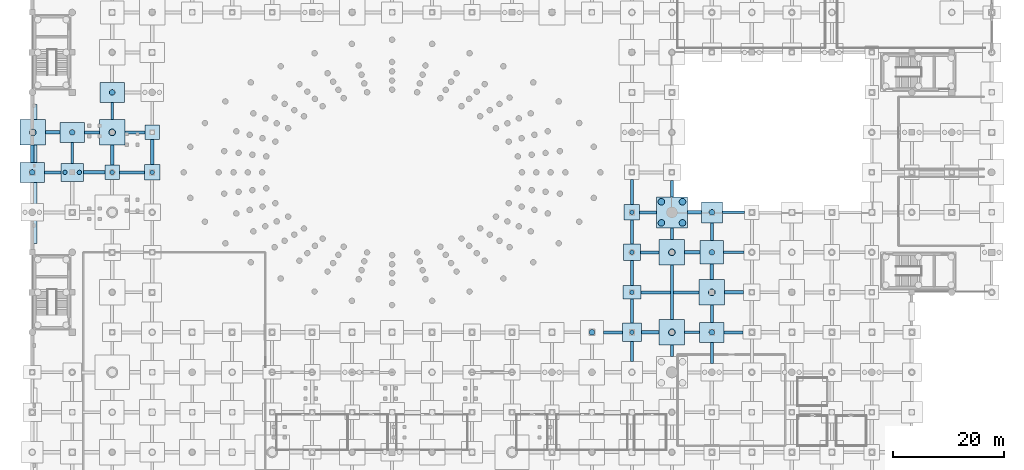
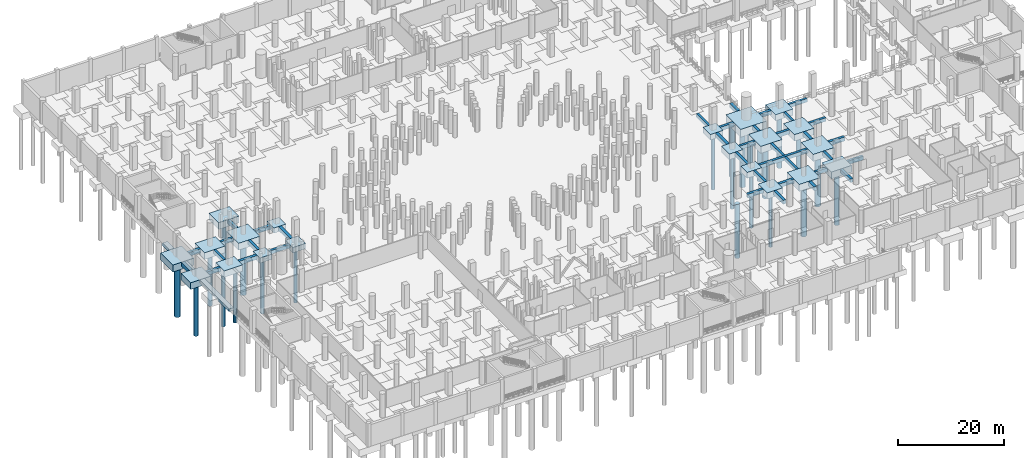
# One storey, part 6 of 37: 57 footings, 24 piles.
"""IFC4 building model written with IfcOpenShell, lengths in metres."""

from ifc_helpers import new_model, si_unit, direction, frame, origin, origin_2d, place, context, subcontext, project, spatial, rectangle, circle, extrude, material, material_profile, profile_set, type_object, element, save


model = new_model("IFC4")

# Units and contexts
model_context = context("Model", 3, precision=1e-05, world=origin(), true_north=direction((0.0, 1.0)))
body_context = subcontext(model_context, "Body", "Model", "MODEL_VIEW")
ifc_project = project(units=[si_unit("LENGTHUNIT", "METRE"), si_unit("AREAUNIT", "SQUARE_METRE"), si_unit("VOLUMEUNIT", "CUBIC_METRE"), si_unit("PLANEANGLEUNIT", "RADIAN"), si_unit("MASSUNIT", "GRAM", prefix="KILO")], contexts=[model_context])

# Site, building, storey
site_placement = place(None, origin())
site = spatial("IfcSite", under=ifc_project, at=site_placement, CompositionType="ELEMENT")
building_placement = place(site_placement, origin())
building = spatial("IfcBuilding", under=site, at=building_placement, Name="Qandorah Velis Arena", CompositionType="ELEMENT")
storey_placement = place(building_placement, frame((0.0, 0.0, -5.39990234375)))
storey = spatial("IfcBuildingStorey", under=building, at=storey_placement, Name="B1", CompositionType="ELEMENT", Elevation=-5.39990234375)

# Footings
ifc_material = material(Name="Concrete C40/50", Category="concrete")
footing_type_1 = type_object("IfcFootingType", Name="STR-CAP-PC10", PredefinedType="PILE_CAP", material=ifc_material)
for number, where, z_axis, x_axis, name in (
    (1, (14.39990234375, 64.800048828125, -1.2001953125), (0.0, 0.0, 1.0), (1.0, 0.0, 0.0), "Pile cap CAP-B1-047"),
    (2, (21.60009765625, 72.0, -1.2001953125), (0.0, 0.0, 1.0), (1.0, 0.0, 0.0), "Pile cap CAP-B1-067"),
):
    element("IfcFooting", number, at=place(storey_placement, frame(where, z_axis=z_axis, x_axis=x_axis)), inside=storey, type_object=footing_type_1, Name=name, PredefinedType="PILE_CAP", context=body_context, shape_type="SweptSolid", body=[
        extrude(rectangle(XDim=2.60009765625, YDim=2.60009765625, at=origin_2d()), origin(), (0.0, 0.0, 1.0), 1.199951171875),
    ])
footing_type_2 = type_object("IfcFootingType", Name="STR-CAP-PC14", PredefinedType="PILE_CAP", material=ifc_material)
footing_1_placement = place(storey_placement, frame((7.199951171875, 64.800048828125, -1.4501953125), z_axis=(0.0, 0.0, 1.0), x_axis=(1.0, 0.0, 0.0)))
element("IfcFooting", 3, at=footing_1_placement, inside=storey, type_object=footing_type_2, Name="Pile cap CAP-B1-028", PredefinedType="PILE_CAP", context=body_context, shape_type="SweptSolid", body=[
    extrude(rectangle(XDim=4.0, YDim=3.199951171875, at=origin_2d()), origin(), (0.0, 0.0, 1.0), 1.449951171875),
])
footing_type_3 = type_object("IfcFootingType", Name="STR-CAP-PC15", PredefinedType="PILE_CAP", material=ifc_material)
for number, where, z_axis, x_axis, name in (
    (4, (0.0, 64.800048828125, -1.55029296875), (0.0, 0.0, 1.0), (1.0, 0.0, 0.0), "Pile cap CAP-B1-009"),
    (5, (7.199951171875, 72.0, -1.55029296875), (0.0, 0.0, 1.0), (1.0, 0.0, 0.0), "Pile cap CAP-B1-029"),
    (6, (14.39990234375, 79.199951171875, -1.55029296875), (0.0, 0.0, 1.0), (1.0, 0.0, 0.0), "Pile cap CAP-B1-049"),
    (7, (122.39990234375, 36.0, -1.55029296875), (0.0, 0.0, 1.0), (1.0, 0.0, 0.0), "Pile cap CAP-B1-249"),
):
    element("IfcFooting", number, at=place(storey_placement, frame(where, z_axis=z_axis, x_axis=x_axis)), inside=storey, type_object=footing_type_3, Name=name, PredefinedType="PILE_CAP", context=body_context, shape_type="SweptSolid", body=[
        extrude(rectangle(XDim=4.39990234375, YDim=3.60009765625, at=origin_2d()), origin(), (0.0, 0.0, 1.0), 1.550048828125),
    ])
footing_type_4 = type_object("IfcFootingType", Name="STR-CAP-PC2", PredefinedType="PILE_CAP", material=ifc_material)
footing_2_placement = place(storey_placement, frame((115.199951171875, 57.60009765625, -1.80029296875), z_axis=(0.0, 0.0, 1.0), x_axis=(1.0, 0.0, 0.0)))
element("IfcFooting", 8, at=footing_2_placement, inside=storey, type_object=footing_type_4, Name="Pile cap CAP-B1-234", PredefinedType="PILE_CAP", context=body_context, shape_type="SweptSolid", body=[
    extrude(rectangle(XDim=5.60009765625, YDim=5.60009765625, at=origin_2d()), origin(), (0.0, 0.0, 1.0), 1.800048828125),
])
footing_type_5 = type_object("IfcFootingType", Name="STR-CAP-PC3", PredefinedType="PILE_CAP", material=ifc_material)
for number, where, z_axis, x_axis, name in (
    (9, (0.10009765625, 72.0, -1.60009765625), (0.0, 0.0, 1.0), (1.0, 0.0, 0.0), "Pile cap CAP-B1-010"),
    (10, (14.39990234375, 72.0, -1.60009765625), (0.0, 0.0, 1.0), (1.0, 0.0, 0.0), "Pile cap CAP-B1-048"),
    (11, (115.199951171875, 36.0, -1.60009765625), (0.0, 0.0, 1.0), (1.0, 0.0, 0.0), "Pile cap CAP-B1-232"),
    (12, (115.199951171875, 50.39990234375, -1.60009765625), (0.0, 0.0, 1.0), (1.0, 0.0, 0.0), "Pile cap CAP-B1-233"),
    (13, (122.39990234375, 43.199951171875, -1.60009765625), (0.0, 0.0, 1.0), (1.0, 0.0, 0.0), "Pile cap CAP-B1-250"),
):
    element("IfcFooting", number, at=place(storey_placement, frame(where, z_axis=z_axis, x_axis=x_axis)), inside=storey, type_object=footing_type_5, Name=name, PredefinedType="PILE_CAP", context=body_context, shape_type="SweptSolid", body=[
        extrude(rectangle(XDim=4.60009765625, YDim=4.60009765625, at=origin_2d()), origin(), (0.0, 0.0, 1.0), 1.60009765625),
    ])
footing_type_6 = type_object("IfcFootingType", Name="STR-CAP-PC4", PredefinedType="PILE_CAP", material=ifc_material)
footing_3_placement = place(storey_placement, frame((122.39990234375, 50.39990234375, -1.5), z_axis=(0.0, 0.0, 1.0), x_axis=(1.0, 0.0, 0.0)))
element("IfcFooting", 14, at=footing_3_placement, inside=storey, type_object=footing_type_6, Name="Pile cap CAP-B1-251", PredefinedType="PILE_CAP", context=body_context, shape_type="SweptSolid", body=[
    extrude(rectangle(XDim=4.199951171875, YDim=4.199951171875, at=origin_2d()), origin(), (0.0, 0.0, 1.0), 1.5),
])
footing_type_7 = type_object("IfcFootingType", Name="STR-CAP-PC5", PredefinedType="PILE_CAP", material=ifc_material)
footing_4_placement = place(storey_placement, frame((122.39990234375, 57.60009765625, -1.400146484375), z_axis=(0.0, 0.0, 1.0), x_axis=(1.0, 0.0, 0.0)))
element("IfcFooting", 15, at=footing_4_placement, inside=storey, type_object=footing_type_7, Name="Pile cap CAP-B1-252", PredefinedType="PILE_CAP", context=body_context, shape_type="SweptSolid", body=[
    extrude(rectangle(XDim=3.800048828125, YDim=3.800048828125, at=origin_2d()), origin(), (0.0, 0.0, 1.0), 1.39990234375),
])
footing_type_8 = type_object("IfcFootingType", Name="STR-CAP-PC6", PredefinedType="PILE_CAP", material=ifc_material)
footing_5_placement = place(storey_placement, frame((108.0, 36.0, -1.400146484375), z_axis=(0.0, 0.0, 1.0), x_axis=(1.0, 0.0, 0.0)))
element("IfcFooting", 16, at=footing_5_placement, inside=storey, type_object=footing_type_8, Name="Pile cap CAP-B1-213", PredefinedType="PILE_CAP", context=body_context, shape_type="SweptSolid", body=[
    extrude(rectangle(XDim=3.39990234375, YDim=3.39990234375, at=origin_2d()), origin(), (0.0, 0.0, 1.0), 1.39990234375),
])
footing_type_9 = type_object("IfcFootingType", Name="STR-CAP-PC7", PredefinedType="PILE_CAP", material=ifc_material)
footing_6_placement = place(storey_placement, frame((108.0, 43.199951171875, -1.35009765625), z_axis=(0.0, 0.0, 1.0), x_axis=(1.0, 0.0, 0.0)))
element("IfcFooting", 17, at=footing_6_placement, inside=storey, type_object=footing_type_9, Name="Pile cap CAP-B1-214", PredefinedType="PILE_CAP", context=body_context, shape_type="SweptSolid", body=[
    extrude(rectangle(XDim=3.199951171875, YDim=2.39990234375, at=origin_2d()), origin(), (0.0, 0.0, 1.0), 1.35009765625),
])
footing_type_10 = type_object("IfcFootingType", Name="STR-CAP-PC8", PredefinedType="PILE_CAP", material=ifc_material)
footing_7_placement = place(storey_placement, frame((108.0, 50.39990234375, -1.30029296875), z_axis=(0.0, 0.0, 1.0), x_axis=(1.0, 0.0, 0.0)))
element("IfcFooting", 18, at=footing_7_placement, inside=storey, type_object=footing_type_10, Name="Pile cap CAP-B1-215", PredefinedType="PILE_CAP", context=body_context, shape_type="SweptSolid", body=[
    extrude(rectangle(XDim=3.0, YDim=3.0, at=origin_2d()), origin(), (0.0, 0.0, 1.0), 1.300048828125),
])
footing_type_11 = type_object("IfcFootingType", Name="STR-CAP-PC9", PredefinedType="PILE_CAP", material=ifc_material)
for number, where, z_axis, x_axis, name in (
    (19, (21.60009765625, 64.800048828125, -1.25), (0.0, 0.0, 1.0), (1.0, 0.0, 0.0), "Pile cap CAP-B1-066"),
    (20, (108.0, 57.60009765625, -1.25), (0.0, 0.0, 1.0), (1.0, 0.0, 0.0), "Pile cap CAP-B1-216"),
):
    element("IfcFooting", number, at=place(storey_placement, frame(where, z_axis=z_axis, x_axis=x_axis)), inside=storey, type_object=footing_type_11, Name=name, PredefinedType="PILE_CAP", context=body_context, shape_type="SweptSolid", body=[
        extrude(rectangle(XDim=2.800048828125, YDim=2.800048828125, at=origin_2d()), origin(), (0.0, 0.0, 1.0), 1.25),
    ])
ifc_material_profile_1 = material_profile(ifc_material, rectangle(XDim=0.60009765625, YDim=0.89990234375, at=origin_2d()), Name="GB1 600x900")
ifc_profile_set_1 = profile_set([ifc_material_profile_1], Name="Concrete C40/50")
footing_type_12 = type_object("IfcFootingType", Name="STR-GB-FB1", PredefinedType="FOOTING_BEAM", material=ifc_profile_set_1)
footing_8_placement = place(storey_placement, frame((0.0, 66.60009765625, -0.4501953125), z_axis=(0.0, 1.0, 0.0), x_axis=(-1.0, 0.0, 0.0)))
element("IfcFooting", 21, at=footing_8_placement, inside=storey, type_object=footing_type_12, Name="Ground tie beam GB-006", PredefinedType="FOOTING_BEAM", context=body_context, shape_type="SweptSolid", body=[
    extrude(rectangle(XDim=0.60009765625, YDim=0.89990234375, at=origin_2d()), origin(), (0.0, 0.0, 1.0), 3.099853515625),
])
footing_9_placement = place(storey_placement, frame((14.39990234375, 66.10009765625, -0.4501953125), z_axis=(0.0, 1.0, 0.0), x_axis=(-1.0, 0.0, 0.0)))
element("IfcFooting", 22, at=footing_9_placement, inside=storey, type_object=footing_type_12, Name="Ground tie beam GB-030", PredefinedType="FOOTING_BEAM", context=body_context, shape_type="SweptSolid", body=[
    extrude(rectangle(XDim=0.60009765625, YDim=0.89990234375, at=origin_2d()), origin(), (0.0, 0.0, 1.0), 3.599853515625),
])
footing_10_placement = place(storey_placement, frame((21.60009765625, 66.199951171875, -0.4501953125), z_axis=(0.0, 1.0, 0.0), x_axis=(-1.0, 0.0, 0.0)))
element("IfcFooting", 23, at=footing_10_placement, inside=storey, type_object=footing_type_12, Name="Ground tie beam GB-048", PredefinedType="FOOTING_BEAM", context=body_context, shape_type="SweptSolid", body=[
    extrude(rectangle(XDim=0.60009765625, YDim=0.89990234375, at=origin_2d()), origin(), (0.0, 0.0, 1.0), 4.5),
])
footing_11_placement = place(storey_placement, frame((108.0, 30.699951171875, -0.4501953125), z_axis=(0.0, 1.0, 0.0), x_axis=(-1.0, 0.0, 0.0)))
element("IfcFooting", 24, at=footing_11_placement, inside=storey, type_object=footing_type_12, Name="Ground tie beam GB-147", PredefinedType="FOOTING_BEAM", context=body_context, shape_type="SweptSolid", body=[
    extrude(rectangle(XDim=0.60009765625, YDim=0.89990234375, at=origin_2d()), origin(), (0.0, 0.0, 1.0), 3.60009765625),
])
footing_12_placement = place(storey_placement, frame((108.0, 51.89990234375, -0.4501953125), z_axis=(0.0, 1.0, 0.0), x_axis=(-1.0, 0.0, 0.0)))
element("IfcFooting", 25, at=footing_12_placement, inside=storey, type_object=footing_type_12, Name="Ground tie beam GB-150", PredefinedType="FOOTING_BEAM", context=body_context, shape_type="SweptSolid", body=[
    extrude(rectangle(XDim=0.60009765625, YDim=0.89990234375, at=origin_2d()), origin(), (0.0, 0.0, 1.0), 4.300048828125),
])
footing_13_placement = place(storey_placement, frame((115.199951171875, 31.60009765625, -0.4501953125), z_axis=(0.0, 1.0, 0.0), x_axis=(-1.0, 0.0, 0.0)))
element("IfcFooting", 26, at=footing_13_placement, inside=storey, type_object=footing_type_12, Name="Ground tie beam GB-165", PredefinedType="FOOTING_BEAM", context=body_context, shape_type="SweptSolid", body=[
    extrude(rectangle(XDim=0.60009765625, YDim=0.89990234375, at=origin_2d()), origin(), (0.0, 0.0, 1.0), 2.099853515625),
])
footing_14_placement = place(storey_placement, frame((115.199951171875, 60.39990234375, -0.4501953125), z_axis=(0.0, 1.0, 0.0), x_axis=(-1.0, 0.0, 0.0)))
element("IfcFooting", 27, at=footing_14_placement, inside=storey, type_object=footing_type_12, Name="Ground tie beam GB-168", PredefinedType="FOOTING_BEAM", context=body_context, shape_type="SweptSolid", body=[
    extrude(rectangle(XDim=0.60009765625, YDim=0.89990234375, at=origin_2d()), origin(), (0.0, 0.0, 1.0), 2.900146484375),
])
footing_15_placement = place(storey_placement, frame((122.39990234375, 45.5, -0.4501953125), z_axis=(0.0, 1.0, 0.0), x_axis=(-1.0, 0.0, 0.0)))
element("IfcFooting", 28, at=footing_15_placement, inside=storey, type_object=footing_type_12, Name="Ground tie beam GB-183", PredefinedType="FOOTING_BEAM", context=body_context, shape_type="SweptSolid", body=[
    extrude(rectangle(XDim=0.60009765625, YDim=0.89990234375, at=origin_2d()), origin(), (0.0, 0.0, 1.0), 2.800048828125),
])
footing_16_placement = place(storey_placement, frame((109.699951171875, 36.0, -0.4501953125), z_axis=(1.0, 0.0, 0.0), x_axis=(0.0, 1.0, 0.0)))
element("IfcFooting", 29, at=footing_16_placement, inside=storey, type_object=footing_type_12, Name="Ground tie beam GB-372", PredefinedType="FOOTING_BEAM", context=body_context, shape_type="SweptSolid", body=[
    extrude(rectangle(XDim=0.60009765625, YDim=0.89990234375, at=origin_2d()), origin(), (0.0, 0.0, 1.0), 3.199951171875),
])
footing_17_placement = place(storey_placement, frame((124.699951171875, 43.199951171875, -0.4501953125), z_axis=(1.0, 0.0, 0.0), x_axis=(0.0, 1.0, 0.0)))
element("IfcFooting", 30, at=footing_17_placement, inside=storey, type_object=footing_type_12, Name="Ground tie beam GB-381", PredefinedType="FOOTING_BEAM", context=body_context, shape_type="SweptSolid", body=[
    extrude(rectangle(XDim=0.60009765625, YDim=0.89990234375, at=origin_2d()), origin(), (0.0, 0.0, 1.0), 3.400146484375),
])
footing_18_placement = place(storey_placement, frame((117.5, 50.39990234375, -0.4501953125), z_axis=(1.0, 0.0, 0.0), x_axis=(0.0, 1.0, 0.0)))
element("IfcFooting", 31, at=footing_18_placement, inside=storey, type_object=footing_type_12, Name="Ground tie beam GB-387", PredefinedType="FOOTING_BEAM", context=body_context, shape_type="SweptSolid", body=[
    extrude(rectangle(XDim=0.60009765625, YDim=0.89990234375, at=origin_2d()), origin(), (0.0, 0.0, 1.0), 2.800048828125),
])
footing_19_placement = place(storey_placement, frame((118.0, 57.60009765625, -0.4501953125), z_axis=(1.0, 0.0, 0.0), x_axis=(0.0, 1.0, 0.0)))
element("IfcFooting", 32, at=footing_19_placement, inside=storey, type_object=footing_type_12, Name="Ground tie beam GB-396", PredefinedType="FOOTING_BEAM", context=body_context, shape_type="SweptSolid", body=[
    extrude(rectangle(XDim=0.60009765625, YDim=0.89990234375, at=origin_2d()), origin(), (0.0, 0.0, 1.0), 2.5),
])
footing_20_placement = place(storey_placement, frame((9.199951171875, 64.800048828125, -0.4501953125), z_axis=(1.0, 0.0, 0.0), x_axis=(0.0, 1.0, 0.0)))
element("IfcFooting", 33, at=footing_20_placement, inside=storey, type_object=footing_type_12, Name="Ground tie beam GB-405", PredefinedType="FOOTING_BEAM", context=body_context, shape_type="SweptSolid", body=[
    extrude(rectangle(XDim=0.60009765625, YDim=0.89990234375, at=origin_2d()), origin(), (0.0, 0.0, 1.0), 3.900146484375),
])
footing_21_placement = place(storey_placement, frame((2.39990234375, 72.0, -0.4501953125), z_axis=(1.0, 0.0, 0.0), x_axis=(0.0, 1.0, 0.0)))
element("IfcFooting", 34, at=footing_21_placement, inside=storey, type_object=footing_type_12, Name="Ground tie beam GB-411", PredefinedType="FOOTING_BEAM", context=body_context, shape_type="SweptSolid", body=[
    extrude(rectangle(XDim=0.60009765625, YDim=0.89990234375, at=origin_2d()), origin(), (0.0, 0.0, 1.0), 2.60009765625),
])
ifc_material_profile_2 = material_profile(ifc_material, rectangle(XDim=0.5, YDim=0.800048828125, at=origin_2d()), Name="GB2 500x800")
ifc_profile_set_2 = profile_set([ifc_material_profile_2], Name="Concrete C40/50")
footing_type_13 = type_object("IfcFootingType", Name="STR-GB-FB2", PredefinedType="FOOTING_BEAM", material=ifc_profile_set_2)
footing_22_placement = place(storey_placement, frame((7.199951171875, 66.39990234375, -0.400146484375), z_axis=(0.0, 1.0, 0.0), x_axis=(-1.0, 0.0, 0.0)))
element("IfcFooting", 35, at=footing_22_placement, inside=storey, type_object=footing_type_13, Name="Ground tie beam GB-016", PredefinedType="FOOTING_BEAM", context=body_context, shape_type="SweptSolid", body=[
    extrude(rectangle(XDim=0.5, YDim=0.800048828125, at=origin_2d()), origin(), (0.0, 0.0, 1.0), 3.800048828125),
])
footing_23_placement = place(storey_placement, frame((14.39990234375, 74.300048828125, -0.400146484375), z_axis=(0.0, 1.0, 0.0), x_axis=(-1.0, 0.0, 0.0)))
element("IfcFooting", 36, at=footing_23_placement, inside=storey, type_object=footing_type_13, Name="Ground tie beam GB-031", PredefinedType="FOOTING_BEAM", context=body_context, shape_type="SweptSolid", body=[
    extrude(rectangle(XDim=0.5, YDim=0.800048828125, at=origin_2d()), origin(), (0.0, 0.0, 1.0), 3.099853515625),
])
footing_24_placement = place(storey_placement, frame((108.0, 37.699951171875, -0.400146484375), z_axis=(0.0, 1.0, 0.0), x_axis=(-1.0, 0.0, 0.0)))
element("IfcFooting", 37, at=footing_24_placement, inside=storey, type_object=footing_type_13, Name="Ground tie beam GB-148", PredefinedType="FOOTING_BEAM", context=body_context, shape_type="SweptSolid", body=[
    extrude(rectangle(XDim=0.5, YDim=0.800048828125, at=origin_2d()), origin(), (0.0, 0.0, 1.0), 4.300048828125),
])
footing_25_placement = place(storey_placement, frame((108.0, 59.0, -0.400146484375), z_axis=(0.0, 1.0, 0.0), x_axis=(-1.0, 0.0, 0.0)))
element("IfcFooting", 38, at=footing_25_placement, inside=storey, type_object=footing_type_13, Name="Ground tie beam GB-151", PredefinedType="FOOTING_BEAM", context=body_context, shape_type="SweptSolid", body=[
    extrude(rectangle(XDim=0.5, YDim=0.800048828125, at=origin_2d()), origin(), (0.0, 0.0, 1.0), 4.5),
])
footing_26_placement = place(storey_placement, frame((115.199951171875, 38.300048828125, -0.400146484375), z_axis=(0.0, 1.0, 0.0), x_axis=(-1.0, 0.0, 0.0)))
element("IfcFooting", 39, at=footing_26_placement, inside=storey, type_object=footing_type_13, Name="Ground tie beam GB-166", PredefinedType="FOOTING_BEAM", context=body_context, shape_type="SweptSolid", body=[
    extrude(rectangle(XDim=0.5, YDim=0.800048828125, at=origin_2d()), origin(), (0.0, 0.0, 1.0), 9.800048828125),
])
footing_27_placement = place(storey_placement, frame((122.39990234375, 30.39990234375, -0.400146484375), z_axis=(0.0, 1.0, 0.0), x_axis=(-1.0, 0.0, 0.0)))
element("IfcFooting", 40, at=footing_27_placement, inside=storey, type_object=footing_type_13, Name="Ground tie beam GB-181", PredefinedType="FOOTING_BEAM", context=body_context, shape_type="SweptSolid", body=[
    extrude(rectangle(XDim=0.5, YDim=0.800048828125, at=origin_2d()), origin(), (0.0, 0.0, 1.0), 3.800048828125),
])
footing_28_placement = place(storey_placement, frame((122.39990234375, 52.5, -0.400146484375), z_axis=(0.0, 1.0, 0.0), x_axis=(-1.0, 0.0, 0.0)))
element("IfcFooting", 41, at=footing_28_placement, inside=storey, type_object=footing_type_13, Name="Ground tie beam GB-184", PredefinedType="FOOTING_BEAM", context=body_context, shape_type="SweptSolid", body=[
    extrude(rectangle(XDim=0.5, YDim=0.800048828125, at=origin_2d()), origin(), (0.0, 0.0, 1.0), 3.199951171875),
])
footing_29_placement = place(storey_placement, frame((117.5, 36.0, -0.400146484375), z_axis=(1.0, 0.0, 0.0), x_axis=(0.0, 1.0, 0.0)))
element("IfcFooting", 42, at=footing_29_placement, inside=storey, type_object=footing_type_13, Name="Ground tie beam GB-373", PredefinedType="FOOTING_BEAM", context=body_context, shape_type="SweptSolid", body=[
    extrude(rectangle(XDim=0.5, YDim=0.800048828125, at=origin_2d()), origin(), (0.0, 0.0, 1.0), 2.699951171875),
])
footing_30_placement = place(storey_placement, frame((124.5, 50.39990234375, -0.400146484375), z_axis=(1.0, 0.0, 0.0), x_axis=(0.0, 1.0, 0.0)))
element("IfcFooting", 43, at=footing_30_placement, inside=storey, type_object=footing_type_13, Name="Ground tie beam GB-388", PredefinedType="FOOTING_BEAM", context=body_context, shape_type="SweptSolid", body=[
    extrude(rectangle(XDim=0.5, YDim=0.800048828125, at=origin_2d()), origin(), (0.0, 0.0, 1.0), 3.699951171875),
])
footing_31_placement = place(storey_placement, frame((124.300048828125, 57.60009765625, -0.400146484375), z_axis=(1.0, 0.0, 0.0), x_axis=(0.0, 1.0, 0.0)))
element("IfcFooting", 44, at=footing_31_placement, inside=storey, type_object=footing_type_13, Name="Ground tie beam GB-397", PredefinedType="FOOTING_BEAM", context=body_context, shape_type="SweptSolid", body=[
    extrude(rectangle(XDim=0.5, YDim=0.800048828125, at=origin_2d()), origin(), (0.0, 0.0, 1.0), 4.0),
])
footing_32_placement = place(storey_placement, frame((15.699951171875, 64.800048828125, -0.400146484375), z_axis=(1.0, 0.0, 0.0), x_axis=(0.0, 1.0, 0.0)))
element("IfcFooting", 45, at=footing_32_placement, inside=storey, type_object=footing_type_13, Name="Ground tie beam GB-406", PredefinedType="FOOTING_BEAM", context=body_context, shape_type="SweptSolid", body=[
    extrude(rectangle(XDim=0.5, YDim=0.800048828125, at=origin_2d()), origin(), (0.0, 0.0, 1.0), 4.5),
])
footing_33_placement = place(storey_placement, frame((9.39990234375, 72.0, -0.400146484375), z_axis=(1.0, 0.0, 0.0), x_axis=(0.0, 1.0, 0.0)))
element("IfcFooting", 46, at=footing_33_placement, inside=storey, type_object=footing_type_13, Name="Ground tie beam GB-412", PredefinedType="FOOTING_BEAM", context=body_context, shape_type="SweptSolid", body=[
    extrude(rectangle(XDim=0.5, YDim=0.800048828125, at=origin_2d()), origin(), (0.0, 0.0, 1.0), 2.7001953125),
])
ifc_material_profile_3 = material_profile(ifc_material, rectangle(XDim=0.550048828125, YDim=0.85009765625, at=origin_2d()), Name="GB3 550x850")
ifc_profile_set_3 = profile_set([ifc_material_profile_3], Name="Concrete C40/50")
footing_type_14 = type_object("IfcFootingType", Name="STR-GB-FB3", PredefinedType="FOOTING_BEAM", material=ifc_profile_set_3)
footing_34_placement = place(storey_placement, frame((108.0, 44.39990234375, -0.425048828125), z_axis=(0.0, 1.0, 0.0), x_axis=(-1.0, 0.0, 0.0)))
element("IfcFooting", 47, at=footing_34_placement, inside=storey, type_object=footing_type_14, Name="Ground tie beam GB-149", PredefinedType="FOOTING_BEAM", context=body_context, shape_type="SweptSolid", body=[
    extrude(rectangle(XDim=0.550048828125, YDim=0.85009765625, at=origin_2d()), origin(), (0.0, 0.0, 1.0), 4.5),
])
footing_35_placement = place(storey_placement, frame((115.199951171875, 52.699951171875, -0.425048828125), z_axis=(0.0, 1.0, 0.0), x_axis=(-1.0, 0.0, 0.0)))
element("IfcFooting", 48, at=footing_35_placement, inside=storey, type_object=footing_type_14, Name="Ground tie beam GB-167", PredefinedType="FOOTING_BEAM", context=body_context, shape_type="SweptSolid", body=[
    extrude(rectangle(XDim=0.550048828125, YDim=0.85009765625, at=origin_2d()), origin(), (0.0, 0.0, 1.0), 2.10009765625),
])
footing_36_placement = place(storey_placement, frame((122.39990234375, 37.800048828125, -0.425048828125), z_axis=(0.0, 1.0, 0.0), x_axis=(-1.0, 0.0, 0.0)))
element("IfcFooting", 49, at=footing_36_placement, inside=storey, type_object=footing_type_14, Name="Ground tie beam GB-182", PredefinedType="FOOTING_BEAM", context=body_context, shape_type="SweptSolid", body=[
    extrude(rectangle(XDim=0.550048828125, YDim=0.85009765625, at=origin_2d()), origin(), (0.0, 0.0, 1.0), 3.099853515625),
])
footing_37_placement = place(storey_placement, frame((102.89990234375, 36.0, -0.425048828125), z_axis=(1.0, 0.0, 0.0), x_axis=(0.0, 1.0, 0.0)))
element("IfcFooting", 50, at=footing_37_placement, inside=storey, type_object=footing_type_14, Name="Ground tie beam GB-371", PredefinedType="FOOTING_BEAM", context=body_context, shape_type="SweptSolid", body=[
    extrude(rectangle(XDim=0.550048828125, YDim=0.85009765625, at=origin_2d()), origin(), (0.0, 0.0, 1.0), 3.400146484375),
])
footing_38_placement = place(storey_placement, frame((124.60009765625, 36.0, -0.425048828125), z_axis=(1.0, 0.0, 0.0), x_axis=(0.0, 1.0, 0.0)))
element("IfcFooting", 51, at=footing_38_placement, inside=storey, type_object=footing_type_14, Name="Ground tie beam GB-374", PredefinedType="FOOTING_BEAM", context=body_context, shape_type="SweptSolid", body=[
    extrude(rectangle(XDim=0.550048828125, YDim=0.85009765625, at=origin_2d()), origin(), (0.0, 0.0, 1.0), 3.39990234375),
])
footing_39_placement = place(storey_placement, frame((109.60009765625, 43.199951171875, -0.425048828125), z_axis=(1.0, 0.0, 0.0), x_axis=(0.0, 1.0, 0.0)))
element("IfcFooting", 52, at=footing_39_placement, inside=storey, type_object=footing_type_14, Name="Ground tie beam GB-380", PredefinedType="FOOTING_BEAM", context=body_context, shape_type="SweptSolid", body=[
    extrude(rectangle(XDim=0.550048828125, YDim=0.85009765625, at=origin_2d()), origin(), (0.0, 0.0, 1.0), 10.5),
])
footing_40_placement = place(storey_placement, frame((109.5, 50.39990234375, -0.425048828125), z_axis=(1.0, 0.0, 0.0), x_axis=(0.0, 1.0, 0.0)))
element("IfcFooting", 53, at=footing_40_placement, inside=storey, type_object=footing_type_14, Name="Ground tie beam GB-386", PredefinedType="FOOTING_BEAM", context=body_context, shape_type="SweptSolid", body=[
    extrude(rectangle(XDim=0.550048828125, YDim=0.85009765625, at=origin_2d()), origin(), (0.0, 0.0, 1.0), 3.39990234375),
])
for number, where, z_axis, x_axis, name in (
    (54, (109.39990234375, 57.60009765625, -0.425048828125), (1.0, 0.0, 0.0), (0.0, 1.0, 0.0), "Ground tie beam GB-395"),
    (55, (2.199951171875, 64.800048828125, -0.425048828125), (1.0, 0.0, 0.0), (0.0, 1.0, 0.0), "Ground tie beam GB-404"),
):
    element("IfcFooting", number, at=place(storey_placement, frame(where, z_axis=z_axis, x_axis=x_axis)), inside=storey, type_object=footing_type_14, Name=name, PredefinedType="FOOTING_BEAM", context=body_context, shape_type="SweptSolid", body=[
        extrude(rectangle(XDim=0.550048828125, YDim=0.85009765625, at=origin_2d()), origin(), (0.0, 0.0, 1.0), 3.0),
    ])
footing_41_placement = place(storey_placement, frame((16.699951171875, 72.0, -0.425048828125), z_axis=(1.0, 0.0, 0.0), x_axis=(0.0, 1.0, 0.0)))
element("IfcFooting", 56, at=footing_41_placement, inside=storey, type_object=footing_type_14, Name="Ground tie beam GB-413", PredefinedType="FOOTING_BEAM", context=body_context, shape_type="SweptSolid", body=[
    extrude(rectangle(XDim=0.550048828125, YDim=0.85009765625, at=origin_2d()), origin(), (0.0, 0.0, 1.0), 3.60009765625),
])

# Piles
ifc_material_profile_4 = material_profile(ifc_material, circle(Radius=0.5, at=origin_2d()), Name="BORED PILE D1000")
ifc_profile_set_4 = profile_set([ifc_material_profile_4], Name="Concrete C40/50")
pile_type_1 = type_object("IfcPileType", Name="STR-PILE-BP1000", PredefinedType="BORED", material=ifc_profile_set_4)
for number, where, z_axis, x_axis, name in (
    (57, (0.0, 64.800048828125, -1.4501953125), (0.0, 0.0, -1.0), (1.0, 0.0, 0.0), "Bored pile PILE-CAP-B1-009-11"),
    (58, (7.199951171875, 72.0, -1.4501953125), (0.0, 0.0, -1.0), (1.0, 0.0, 0.0), "Bored pile PILE-CAP-B1-029-11"),
    (59, (14.39990234375, 79.199951171875, -1.4501953125), (0.0, 0.0, -1.0), (1.0, 0.0, 0.0), "Bored pile PILE-CAP-B1-049-11"),
):
    element("IfcPile", number, at=place(storey_placement, frame(where, z_axis=z_axis, x_axis=x_axis)), inside=storey, type_object=pile_type_1, Name=name, PredefinedType="BORED", context=body_context, shape_type="SweptSolid", body=[
        extrude(circle(Radius=0.5, at=origin_2d()), origin(), (0.0, 0.0, 1.0), 12.35009765625),
    ])
pile_1_placement = place(storey_placement, frame((100.800048828125, 36.0, -1.400146484375), z_axis=(0.0, 0.0, -1.0), x_axis=(1.0, 0.0, 0.0)))
element("IfcPile", 60, at=pile_1_placement, inside=storey, type_object=pile_type_1, Name="Bored pile PILE-CAP-B1-201-11", PredefinedType="BORED", context=body_context, shape_type="SweptSolid", body=[
    extrude(circle(Radius=0.5, at=origin_2d()), origin(), (0.0, 0.0, 1.0), 12.39990234375),
])
pile_2_placement = place(storey_placement, frame((122.39990234375, 36.0, -1.4501953125), z_axis=(0.0, 0.0, -1.0), x_axis=(1.0, 0.0, 0.0)))
element("IfcPile", 61, at=pile_2_placement, inside=storey, type_object=pile_type_1, Name="Bored pile PILE-CAP-B1-249-11", PredefinedType="BORED", context=body_context, shape_type="SweptSolid", body=[
    extrude(circle(Radius=0.5, at=origin_2d()), origin(), (0.0, 0.0, 1.0), 12.35009765625),
])
pile_3_placement = place(storey_placement, frame((122.39990234375, 50.39990234375, -1.400146484375), z_axis=(0.0, 0.0, -1.0), x_axis=(1.0, 0.0, 0.0)))
element("IfcPile", 62, at=pile_3_placement, inside=storey, type_object=pile_type_1, Name="Bored pile PILE-CAP-B1-251-11", PredefinedType="BORED", context=body_context, shape_type="SweptSolid", body=[
    extrude(circle(Radius=0.5, at=origin_2d()), origin(), (0.0, 0.0, 1.0), 12.39990234375),
])
pile_4_placement = place(storey_placement, frame((122.39990234375, 57.60009765625, -1.300048828125), z_axis=(0.0, 0.0, -1.0), x_axis=(1.0, 0.0, 0.0)))
element("IfcPile", 63, at=pile_4_placement, inside=storey, type_object=pile_type_1, Name="Bored pile PILE-CAP-B1-252-11", PredefinedType="BORED", context=body_context, shape_type="SweptSolid", body=[
    extrude(circle(Radius=0.5, at=origin_2d()), origin(), (0.0, 0.0, 1.0), 12.5),
])
ifc_material_profile_5 = material_profile(ifc_material, circle(Radius=0.60009765625, at=origin_2d()), Name="BORED PILE D1200")
ifc_profile_set_5 = profile_set([ifc_material_profile_5], Name="Concrete C40/50")
pile_type_2 = type_object("IfcPileType", Name="STR-PILE-BP1200", PredefinedType="BORED", material=ifc_profile_set_5)
for number, where, z_axis, x_axis, name in (
    (64, (0.10009765625, 72.0, -1.5), (0.0, 0.0, -1.0), (1.0, 0.0, 0.0), "Bored pile PILE-CAP-B1-010-11"),
    (65, (14.39990234375, 72.0, -1.5), (0.0, 0.0, -1.0), (1.0, 0.0, 0.0), "Bored pile PILE-CAP-B1-048-11"),
    (66, (115.199951171875, 36.0, -1.5), (0.0, 0.0, -1.0), (1.0, 0.0, 0.0), "Bored pile PILE-CAP-B1-232-11"),
    (67, (115.199951171875, 50.39990234375, -1.5), (0.0, 0.0, -1.0), (1.0, 0.0, 0.0), "Bored pile PILE-CAP-B1-233-11"),
):
    element("IfcPile", number, at=place(storey_placement, frame(where, z_axis=z_axis, x_axis=x_axis)), inside=storey, type_object=pile_type_2, Name=name, PredefinedType="BORED", context=body_context, shape_type="SweptSolid", body=[
        extrude(circle(Radius=0.60009765625, at=origin_2d()), origin(), (0.0, 0.0, 1.0), 12.300048828125),
    ])
for number, where, z_axis, x_axis, name in (
    (68, (113.300048828125, 55.699951171875, -1.7001953125), (0.0, 0.0, -1.0), (1.0, 0.0, 0.0), "Bored pile PILE-CAP-B1-234-11"),
    (69, (113.300048828125, 59.5, -1.7001953125), (0.0, 0.0, -1.0), (1.0, 0.0, 0.0), "Bored pile PILE-CAP-B1-234-12"),
    (70, (117.10009765625, 55.699951171875, -1.7001953125), (0.0, 0.0, -1.0), (1.0, 0.0, 0.0), "Bored pile PILE-CAP-B1-234-21"),
    (71, (117.10009765625, 59.5, -1.7001953125), (0.0, 0.0, -1.0), (1.0, 0.0, 0.0), "Bored pile PILE-CAP-B1-234-22"),
):
    element("IfcPile", number, at=place(storey_placement, frame(where, z_axis=z_axis, x_axis=x_axis)), inside=storey, type_object=pile_type_2, Name=name, PredefinedType="BORED", context=body_context, shape_type="SweptSolid", body=[
        extrude(circle(Radius=0.60009765625, at=origin_2d()), origin(), (0.0, 0.0, 1.0), 12.10009765625),
    ])
pile_5_placement = place(storey_placement, frame((122.39990234375, 43.199951171875, -1.5), z_axis=(0.0, 0.0, -1.0), x_axis=(1.0, 0.0, 0.0)))
element("IfcPile", 72, at=pile_5_placement, inside=storey, type_object=pile_type_2, Name="Bored pile PILE-CAP-B1-250-11", PredefinedType="BORED", context=body_context, shape_type="SweptSolid", body=[
    extrude(circle(Radius=0.60009765625, at=origin_2d()), origin(), (0.0, 0.0, 1.0), 12.300048828125),
])
ifc_material_profile_6 = material_profile(ifc_material, circle(Radius=0.39990234375, at=origin_2d()), Name="BORED PILE D800")
ifc_profile_set_6 = profile_set([ifc_material_profile_6], Name="Concrete C40/50")
pile_type_3 = type_object("IfcPileType", Name="STR-PILE-BP800", PredefinedType="BORED", material=ifc_profile_set_6)
for number, where, z_axis, x_axis, name in (
    (73, (5.89990234375, 64.800048828125, -1.35009765625), (0.0, 0.0, -1.0), (1.0, 0.0, 0.0), "Bored pile PILE-CAP-B1-028-11"),
    (74, (8.5, 64.800048828125, -1.35009765625), (0.0, 0.0, -1.0), (1.0, 0.0, 0.0), "Bored pile PILE-CAP-B1-028-21"),
):
    element("IfcPile", number, at=place(storey_placement, frame(where, z_axis=z_axis, x_axis=x_axis)), inside=storey, type_object=pile_type_3, Name=name, PredefinedType="BORED", context=body_context, shape_type="SweptSolid", body=[
        extrude(circle(Radius=0.39990234375, at=origin_2d()), origin(), (0.0, 0.0, 1.0), 12.449951171875),
    ])
pile_6_placement = place(storey_placement, frame((14.39990234375, 64.800048828125, -1.10009765625), z_axis=(0.0, 0.0, -1.0), x_axis=(1.0, 0.0, 0.0)))
element("IfcPile", 75, at=pile_6_placement, inside=storey, type_object=pile_type_3, Name="Bored pile PILE-CAP-B1-047-11", PredefinedType="BORED", context=body_context, shape_type="SweptSolid", body=[
    extrude(circle(Radius=0.39990234375, at=origin_2d()), origin(), (0.0, 0.0, 1.0), 12.699951171875),
])
pile_7_placement = place(storey_placement, frame((21.60009765625, 64.800048828125, -1.150146484375), z_axis=(0.0, 0.0, -1.0), x_axis=(1.0, 0.0, 0.0)))
element("IfcPile", 76, at=pile_7_placement, inside=storey, type_object=pile_type_3, Name="Bored pile PILE-CAP-B1-066-11", PredefinedType="BORED", context=body_context, shape_type="SweptSolid", body=[
    extrude(circle(Radius=0.39990234375, at=origin_2d()), origin(), (0.0, 0.0, 1.0), 12.64990234375),
])
pile_8_placement = place(storey_placement, frame((108.0, 36.0, -1.300048828125), z_axis=(0.0, 0.0, -1.0), x_axis=(1.0, 0.0, 0.0)))
element("IfcPile", 77, at=pile_8_placement, inside=storey, type_object=pile_type_3, Name="Bored pile PILE-CAP-B1-213-11", PredefinedType="BORED", context=body_context, shape_type="SweptSolid", body=[
    extrude(circle(Radius=0.39990234375, at=origin_2d()), origin(), (0.0, 0.0, 1.0), 12.5),
])
pile_9_placement = place(storey_placement, frame((108.0, 43.199951171875, -1.25), z_axis=(0.0, 0.0, -1.0), x_axis=(1.0, 0.0, 0.0)))
element("IfcPile", 78, at=pile_9_placement, inside=storey, type_object=pile_type_3, Name="Bored pile PILE-CAP-B1-214-11", PredefinedType="BORED", context=body_context, shape_type="SweptSolid", body=[
    extrude(circle(Radius=0.39990234375, at=origin_2d()), origin(), (0.0, 0.0, 1.0), 12.550048828125),
])
pile_10_placement = place(storey_placement, frame((108.0, 50.39990234375, -1.2001953125), z_axis=(0.0, 0.0, -1.0), x_axis=(1.0, 0.0, 0.0)))
element("IfcPile", 79, at=pile_10_placement, inside=storey, type_object=pile_type_3, Name="Bored pile PILE-CAP-B1-215-11", PredefinedType="BORED", context=body_context, shape_type="SweptSolid", body=[
    extrude(circle(Radius=0.39990234375, at=origin_2d()), origin(), (0.0, 0.0, 1.0), 12.60009765625),
])
pile_11_placement = place(storey_placement, frame((108.0, 57.60009765625, -1.150146484375), z_axis=(0.0, 0.0, -1.0), x_axis=(1.0, 0.0, 0.0)))
element("IfcPile", 80, at=pile_11_placement, inside=storey, type_object=pile_type_3, Name="Bored pile PILE-CAP-B1-216-11", PredefinedType="BORED", context=body_context, shape_type="SweptSolid", body=[
    extrude(circle(Radius=0.39990234375, at=origin_2d()), origin(), (0.0, 0.0, 1.0), 12.64990234375),
])

# Footing
ifc_material_profile_7 = material_profile(ifc_material, rectangle(XDim=1.050048828125, YDim=0.64990234375, at=origin_2d()), Name="SF2 1050x650")
ifc_profile_set_7 = profile_set([ifc_material_profile_7], Name="Concrete C40/50")
footing_type_15 = type_object("IfcFootingType", Name="STR-SF-SF2", PredefinedType="STRIP_FOOTING", material=ifc_profile_set_7)
footing_42_placement = place(storey_placement, frame((0.300048828125, 52.0, -0.35009765625), z_axis=(0.0, 1.0, 0.0), x_axis=(-1.0, 0.0, 0.0)))
element("IfcFooting", 81, at=footing_42_placement, inside=storey, type_object=footing_type_15, Name="Perimeter strip footing SF-02", PredefinedType="STRIP_FOOTING", context=body_context, shape_type="SweptSolid", body=[
    extrude(rectangle(XDim=1.050048828125, YDim=0.64990234375, at=origin_2d()), origin(), (0.0, 0.0, 1.0), 25.0),
])

save(model, "model.ifc")
